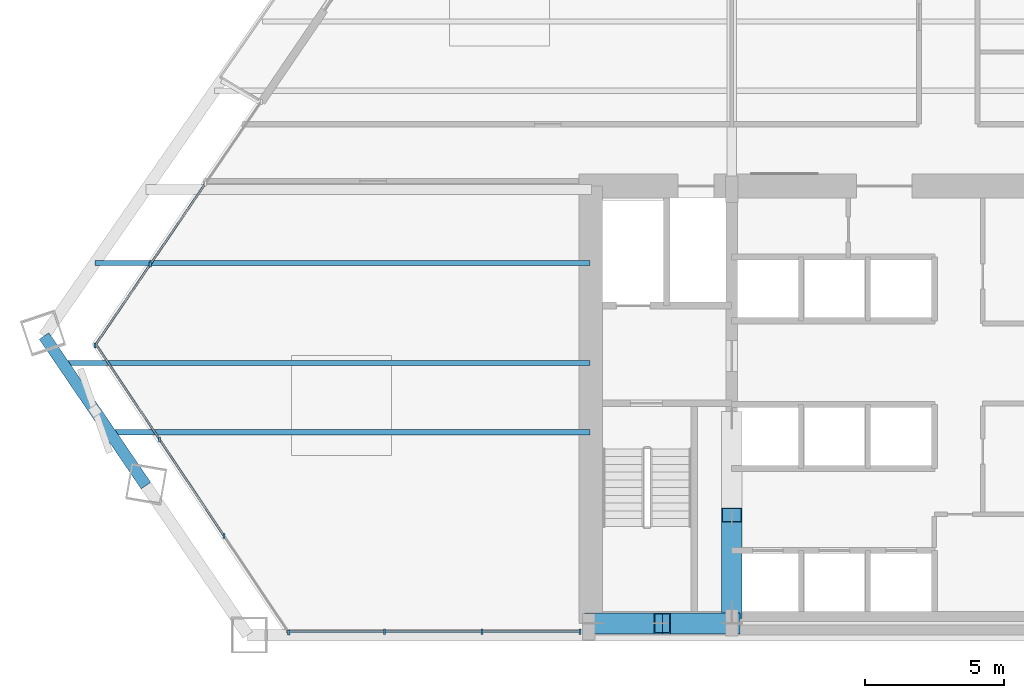
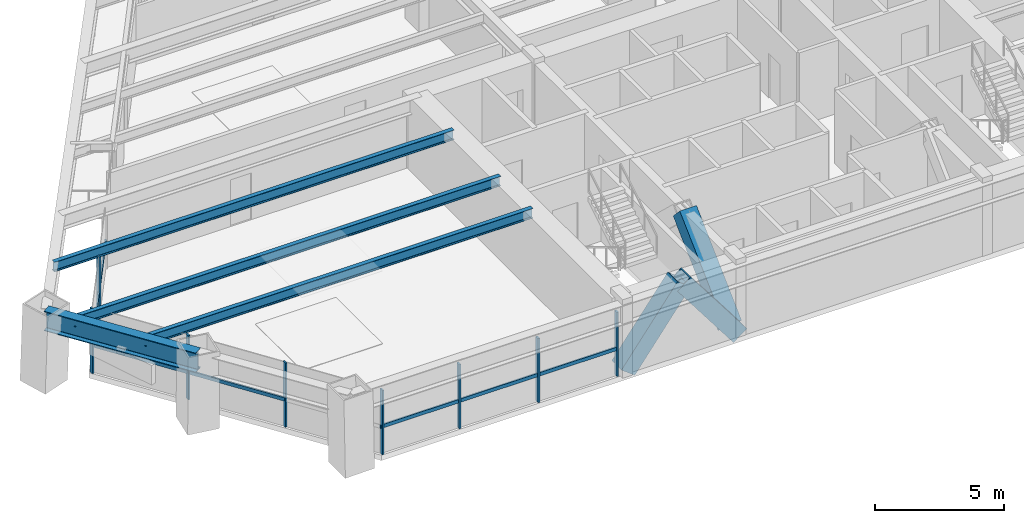
# One storey, part 2 of 14: 18 members, 4 beams, 3 elements without a shape of their own.
"""IFC4 building model written with IfcOpenShell, lengths in metres."""

from ifc_helpers import new_model, si_unit, direction, frame, origin, origin_2d, place, context, subcontext, project, spatial, rectangle, hollow_rectangle, i_section, extrude, source, transform, mapped, material, material_profile, profile_set, type_object, type_shapes, element, aggregate, save


model = new_model("IFC4")

# Units and contexts
model_context = context("Model", 3, precision=1e-05, world=origin(), true_north=direction((0.0, 1.0)))
body_context = subcontext(model_context, "Body", "Model", "MODEL_VIEW")
ifc_project = project(units=[si_unit("LENGTHUNIT", "METRE"), si_unit("AREAUNIT", "SQUARE_METRE"), si_unit("VOLUMEUNIT", "CUBIC_METRE"), si_unit("PLANEANGLEUNIT", "RADIAN"), si_unit("MASSUNIT", "GRAM", prefix="KILO")], contexts=[model_context])

# Site, building, storey
site_placement = place(None, origin())
site = spatial("IfcSite", under=ifc_project, at=site_placement, CompositionType="ELEMENT")
building_placement = place(site_placement, origin())
building = spatial("IfcBuilding", under=site, at=building_placement, Name="Varnakhor Terracotta Tower", CompositionType="ELEMENT")
storey_placement = place(building_placement, frame((0.0, 0.0, 49.699951171875)))
storey = spatial("IfcBuildingStorey", under=building, at=storey_placement, Name="L11", CompositionType="ELEMENT", Elevation=49.699951171875)

# Members
ifc_material_1 = material(Name="Steel S460", Category="steel")
ifc_material_profile_1 = material_profile(ifc_material_1, hollow_rectangle(XDim=0.75, YDim=0.75, WallThickness=0.044921875, at=origin_2d()), Name="HSS750X750X45")
ifc_profile_set_1 = profile_set([ifc_material_profile_1], Name="Steel S460")
member_type_1 = type_object("IfcMemberType", Name="MBR-MEGA-750", PredefinedType="BRACE", material=ifc_profile_set_1)
shared_shape_1 = source(origin(), body_context, "Body", "SweptSolid", [
    extrude(hollow_rectangle(XDim=0.75, YDim=0.75, WallThickness=0.044921875, at=origin_2d()), origin(), (0.0, 0.0, 1.0), 4.14013671875),
])
type_shapes(member_type_1, [shared_shape_1])
for number, where, z_axis, x_axis, name in (
    (1, (-10.5, 0.419921875, 0.0), (0.603852011179, 0.0, 0.797096448741), (0.0, 1.0, 0.0), "L11 Core Coupled Brace CSWA"),
    (2, (-5.5, 0.419921875, 0.0), (-0.603852011179, 0.0, 0.797096448741), (0.0, -1.0, 0.0), "L11 Core Coupled Brace CSWB"),
):
    element("IfcMember", number, at=place(storey_placement, frame(where, z_axis=z_axis, x_axis=x_axis)), inside=storey, type_object=member_type_1, Name=name, PredefinedType="BRACE", context=body_context, shape_type="MappedRepresentation", body=[
        mapped(shared_shape_1, transform((0.0, 0.0, 0.0), scale=1.0)),
    ])
shared_shape_2 = source(origin(), body_context, "Body", "SweptSolid", [
    extrude(hollow_rectangle(XDim=0.75, YDim=0.75, WallThickness=0.044921875, at=origin_2d()), origin(), (0.0, 0.0, 1.0), 4.792236328125),
])
member_1_placement = place(storey_placement, frame((-5.5, 0.85009765625, 0.0), z_axis=(0.0, 0.725110085518, 0.688632967466), x_axis=(-1.0, 0.0, 0.0)))
element("IfcMember", 3, at=member_1_placement, inside=storey, type_object=member_type_1, Name="L11 Core Coupled Brace CWWA", PredefinedType="BRACE", context=body_context, shape_type="MappedRepresentation", body=[
    mapped(shared_shape_2, transform((0.0, 0.0, 0.0), scale=1.0)),
])

# Beams
ifc_material_2 = material(Name="Steel S355", Category="steel")
ifc_material_profile_2 = material_profile(ifc_material_2, i_section(OverallWidth=0.41796875, OverallDepth=0.927001953125, WebThickness=0.01904296875, FlangeThickness=0.031982421875, FilletRadius=0.01806640625, at=origin_2d()), Name="W36X231")
ifc_profile_set_2 = profile_set([ifc_material_profile_2], Name="Steel S355")
beam_type_1 = type_object("IfcBeamType", Name="BM-W36X231", PredefinedType="BEAM", material=ifc_profile_set_2)
shared_shape_3 = source(origin(), body_context, "Body", "SweptSolid", [
    extrude(i_section(OverallWidth=0.41796875, OverallDepth=0.927001953125, WebThickness=0.01904296875, FlangeThickness=0.031982421875, FilletRadius=0.01806640625, at=origin_2d()), origin(), (0.0, 0.0, 1.0), 6.5146484375),
])
beam_1_placement = place(storey_placement, frame((-30.26611328125, 10.76953125, 2.986572265625), z_axis=(0.562846001094, -0.826561781752, 0.0), x_axis=(0.826561781752, 0.562846001094, 0.0)))
element("IfcBeam", 4, at=beam_1_placement, inside=storey, type_object=beam_type_1, Name="L11 Perimeter Spandrel 7", PredefinedType="BEAM", context=body_context, shape_type="MappedRepresentation", body=[
    mapped(shared_shape_3, transform((0.0, 0.0, 0.0), scale=1.0)),
])
ifc_material_profile_3 = material_profile(ifc_material_2, i_section(OverallWidth=0.19189453125, OverallDepth=0.462890625, WebThickness=0.010498046875, FlangeThickness=0.017578125, FilletRadius=0.01806640625, at=origin_2d()), Name="W18X60")
ifc_profile_set_3 = profile_set([ifc_material_profile_3], Name="Steel S355")
beam_type_2 = type_object("IfcBeamType", Name="JST-W18X60", PredefinedType="JOIST", material=ifc_profile_set_3)
shared_shape_4 = source(origin(), body_context, "Body", "SweptSolid", [
    extrude(i_section(OverallWidth=0.19189453125, OverallDepth=0.462890625, WebThickness=0.010498046875, FlangeThickness=0.017578125, FilletRadius=0.01806640625, at=origin_2d()), origin(), (0.0, 0.0, 1.0), 17.303466796875),
])
beam_2_placement = place(storey_placement, frame((-27.903564453125, 7.300048828125, 3.218505859375), z_axis=(1.0, 0.0, 0.0), x_axis=(0.0, 1.0, 0.0)))
element("IfcBeam", 5, at=beam_2_placement, inside=storey, type_object=beam_type_2, Name="L11 Floor Joist W1", PredefinedType="JOIST", context=body_context, shape_type="MappedRepresentation", body=[
    mapped(shared_shape_4, transform((0.0, 0.0, 0.0), scale=1.0)),
])
shared_shape_5 = source(origin(), body_context, "Body", "SweptSolid", [
    extrude(i_section(OverallWidth=0.19189453125, OverallDepth=0.462890625, WebThickness=0.010498046875, FlangeThickness=0.017578125, FilletRadius=0.01806640625, at=origin_2d()), origin(), (0.0, 0.0, 1.0), 19.005615234375),
])
beam_3_placement = place(storey_placement, frame((-29.605712890625, 9.800048828125, 3.218505859375), z_axis=(1.0, 0.0, 0.0), x_axis=(0.0, 1.0, 0.0)))
element("IfcBeam", 6, at=beam_3_placement, inside=storey, type_object=beam_type_2, Name="L11 Floor Joist W2", PredefinedType="JOIST", context=body_context, shape_type="MappedRepresentation", body=[
    mapped(shared_shape_5, transform((0.0, 0.0, 0.0), scale=1.0)),
])
shared_shape_6 = source(origin(), body_context, "Body", "SweptSolid", [
    extrude(i_section(OverallWidth=0.19189453125, OverallDepth=0.462890625, WebThickness=0.010498046875, FlangeThickness=0.017578125, FilletRadius=0.01806640625, at=origin_2d()), origin(), (0.0, 0.0, 1.0), 17.83984375),
])
beam_4_placement = place(storey_placement, frame((-28.43994140625, 13.39990234375, 3.218505859375), z_axis=(1.0, 0.0, 0.0), x_axis=(0.0, 1.0, 0.0)))
element("IfcBeam", 7, at=beam_4_placement, inside=storey, type_object=beam_type_2, Name="L11 Floor Joist W3", PredefinedType="JOIST", context=body_context, shape_type="MappedRepresentation", body=[
    mapped(shared_shape_6, transform((0.0, 0.0, 0.0), scale=1.0)),
])

# Curtain wall, members
ifc_material_3 = material(Name="Anodised Aluminium Curtain Wall System", Category="aluminium")
curtain_wall_type = type_object("IfcCurtainWallType", Name="CW-SYS-LOW-OFFICE", PredefinedType="NOTDEFINED", material=ifc_material_3)
curtain_wall_1_placement = place(storey_placement, origin())
curtain_wall_1 = element("IfcCurtainWall", 8, at=curtain_wall_1_placement, inside=storey, type_object=curtain_wall_type, Name="L11 W Facet Curtain Wall 1", PredefinedType="NOTDEFINED")
ifc_material_4 = material(Name="Anodised Aluminium 6063-T6", Category="aluminium")
ifc_material_profile_4 = material_profile(ifc_material_4, rectangle(XDim=0.074951171875, YDim=0.18505859375, at=origin_2d()), Name="ALU MULLION 75x185")
ifc_profile_set_4 = profile_set([ifc_material_profile_4], Name="Anodised Aluminium 6063-T6")
member_type_2 = type_object("IfcMemberType", Name="CWM-02", PredefinedType="MULLION", material=ifc_profile_set_4)
shared_shape_7 = source(origin(), body_context, "Body", "SweptSolid", [
    extrude(rectangle(XDim=0.074951171875, YDim=0.18505859375, at=origin_2d()), origin(), (0.0, 0.0, 1.0), 3.030029296875),
])
type_shapes(member_type_2, [shared_shape_7])
member_2_placement = place(storey_placement, frame((-28.4296875, 10.430419921875, 0.0), z_axis=(0.0, 0.0, 1.0), x_axis=(1.0, 0.0, 0.0)))
member_2 = element("IfcMember", 9, at=member_2_placement, type_object=member_type_2, Name="L11 W Facet Curtain Wall 1 Mullion 1", PredefinedType="MULLION", context=body_context, shape_type="MappedRepresentation", body=[
    mapped(shared_shape_7, transform((0.0, 0.0, 0.0), scale=1.0)),
])
member_3_placement = place(storey_placement, frame((-26.442626953125, 13.347900390625, 0.0), z_axis=(0.0, 0.0, 1.0), x_axis=(1.0, 0.0, 0.0)))
member_3 = element("IfcMember", 10, at=member_3_placement, type_object=member_type_2, Name="L11 W Facet Curtain Wall 1 Mullion 2", PredefinedType="MULLION", context=body_context, shape_type="MappedRepresentation", body=[
    mapped(shared_shape_7, transform((0.0, 0.0, 0.0), scale=1.0)),
])

curtain_wall_2_placement = place(storey_placement, origin())
curtain_wall_2 = element("IfcCurtainWall", 11, at=curtain_wall_2_placement, inside=storey, type_object=curtain_wall_type, Name="L11 South Wing Curtain Wall SSW", PredefinedType="NOTDEFINED")
member_4_placement = place(storey_placement, frame((-10.969970703125, 0.1201171875, 0.0), z_axis=(0.0, 0.0, 1.0), x_axis=(1.0, 0.0, 0.0)))
member_4 = element("IfcMember", 12, at=member_4_placement, type_object=member_type_2, Name="L11 South Wing Curtain Wall SSW Mullion 1", PredefinedType="MULLION", context=body_context, shape_type="MappedRepresentation", body=[
    mapped(shared_shape_7, transform((0.0, 0.0, 0.0), scale=1.0)),
])
member_5_placement = place(storey_placement, frame((-14.489501953125, 0.1201171875, 0.0), z_axis=(0.0, 0.0, 1.0), x_axis=(1.0, 0.0, 0.0)))
member_5 = element("IfcMember", 13, at=member_5_placement, type_object=member_type_2, Name="L11 South Wing Curtain Wall SSW Mullion 2", PredefinedType="MULLION", context=body_context, shape_type="MappedRepresentation", body=[
    mapped(shared_shape_7, transform((0.0, 0.0, 0.0), scale=1.0)),
])
member_6_placement = place(storey_placement, frame((-18.009033203125, 0.1201171875, 0.0), z_axis=(0.0, 0.0, 1.0), x_axis=(1.0, 0.0, 0.0)))
member_6 = element("IfcMember", 14, at=member_6_placement, type_object=member_type_2, Name="L11 South Wing Curtain Wall SSW Mullion 3", PredefinedType="MULLION", context=body_context, shape_type="MappedRepresentation", body=[
    mapped(shared_shape_7, transform((0.0, 0.0, 0.0), scale=1.0)),
])

curtain_wall_3_placement = place(storey_placement, origin())
curtain_wall_3 = element("IfcCurtainWall", 15, at=curtain_wall_3_placement, inside=storey, type_object=curtain_wall_type, Name="L11 Facet Curtain Wall 6", PredefinedType="NOTDEFINED")
member_7_placement = place(storey_placement, frame((-21.455322265625, 0.091796875, 0.0), z_axis=(0.0, 0.0, 1.0), x_axis=(1.0, 0.0, 0.0)))
member_7 = element("IfcMember", 16, at=member_7_placement, type_object=member_type_2, Name="L11 Facet Curtain Wall 6 Mullion 1", PredefinedType="MULLION", context=body_context, shape_type="MappedRepresentation", body=[
    mapped(shared_shape_7, transform((0.0, 0.0, 0.0), scale=1.0)),
])
member_8_placement = place(storey_placement, frame((-23.780029296875, 3.566162109375, 0.0), z_axis=(0.0, 0.0, 1.0), x_axis=(1.0, 0.0, 0.0)))
member_8 = element("IfcMember", 17, at=member_8_placement, type_object=member_type_2, Name="L11 Facet Curtain Wall 6 Mullion 2", PredefinedType="MULLION", context=body_context, shape_type="MappedRepresentation", body=[
    mapped(shared_shape_7, transform((0.0, 0.0, 0.0), scale=1.0)),
])
member_9_placement = place(storey_placement, frame((-26.104736328125, 7.04052734375, 0.0), z_axis=(0.0, 0.0, 1.0), x_axis=(1.0, 0.0, 0.0)))
member_9 = element("IfcMember", 18, at=member_9_placement, type_object=member_type_2, Name="L11 Facet Curtain Wall 6 Mullion 3", PredefinedType="MULLION", context=body_context, shape_type="MappedRepresentation", body=[
    mapped(shared_shape_7, transform((0.0, 0.0, 0.0), scale=1.0)),
])

# Member
ifc_material_profile_5 = material_profile(ifc_material_4, rectangle(XDim=0.074951171875, YDim=0.1650390625, at=origin_2d()), Name="ALU TRANSOM 75x165")
ifc_profile_set_5 = profile_set([ifc_material_profile_5], Name="Anodised Aluminium 6063-T6")
member_type_3 = type_object("IfcMemberType", Name="CWT-02", PredefinedType="USERDEFINED", material=ifc_profile_set_5)
shared_shape_8 = source(origin(), body_context, "Body", "SweptSolid", [
    extrude(rectangle(XDim=0.074951171875, YDim=0.1650390625, at=origin_2d()), origin(), (0.0, 0.0, 1.0), 3.52978515625),
])
member_10_placement = place(storey_placement, frame((-28.4296875, 10.430419921875, 1.272705078125), z_axis=(0.562924697932, 0.826508187774, 0.0), x_axis=(-0.826508187774, 0.562924697932, 0.0)))
member_10 = element("IfcMember", 19, at=member_10_placement, type_object=member_type_3, Name="L11 W Facet Curtain Wall 1 Transom 1", ObjectType="TRANSOM", PredefinedType="USERDEFINED", context=body_context, shape_type="MappedRepresentation", body=[
    mapped(shared_shape_8, transform((0.0, 0.0, 0.0), scale=1.0)),
])

shared_shape_9 = source(origin(), body_context, "Body", "SweptSolid", [
    extrude(rectangle(XDim=0.074951171875, YDim=0.1650390625, at=origin_2d()), origin(), (0.0, 0.0, 1.0), 3.530029296875),
])
member_11_placement = place(storey_placement, frame((-26.442626953125, 13.347900390625, 1.272705078125), z_axis=(0.562971942101, 0.826476008367, 0.0), x_axis=(-0.826476008367, 0.562971942101, 0.0)))
member_11 = element("IfcMember", 20, at=member_11_placement, type_object=member_type_3, Name="L11 W Facet Curtain Wall 1 Transom 2", ObjectType="TRANSOM", PredefinedType="USERDEFINED", context=body_context, shape_type="MappedRepresentation", body=[
    mapped(shared_shape_9, transform((0.0, 0.0, 0.0), scale=1.0)),
])

aggregate(curtain_wall_1, [member_2, member_10, member_3, member_11])

shared_shape_10 = source(origin(), body_context, "Body", "SweptSolid", [
    extrude(rectangle(XDim=0.074951171875, YDim=0.1650390625, at=origin_2d()), origin(), (0.0, 0.0, 1.0), 3.51953125),
])
member_12_placement = place(storey_placement, frame((-10.969970703125, 0.1201171875, 1.272705078125), z_axis=(-1.0, 0.0, 0.0), x_axis=(0.0, -1.0, 0.0)))
member_12 = element("IfcMember", 21, at=member_12_placement, type_object=member_type_3, Name="L11 South Wing Curtain Wall SSW Transom 1", ObjectType="TRANSOM", PredefinedType="USERDEFINED", context=body_context, shape_type="MappedRepresentation", body=[
    mapped(shared_shape_10, transform((0.0, 0.0, 0.0), scale=1.0)),
])

member_13_placement = place(storey_placement, frame((-14.489501953125, 0.1201171875, 1.272705078125), z_axis=(-1.0, 0.0, 0.0), x_axis=(0.0, -1.0, 0.0)))
member_13 = element("IfcMember", 22, at=member_13_placement, type_object=member_type_3, Name="L11 South Wing Curtain Wall SSW Transom 2", ObjectType="TRANSOM", PredefinedType="USERDEFINED", context=body_context, shape_type="MappedRepresentation", body=[
    mapped(shared_shape_10, transform((0.0, 0.0, 0.0), scale=1.0)),
])

member_14_placement = place(storey_placement, frame((-18.009033203125, 0.1201171875, 1.272705078125), z_axis=(-1.0, 0.0, 0.0), x_axis=(0.0, -1.0, 0.0)))
member_14 = element("IfcMember", 23, at=member_14_placement, type_object=member_type_3, Name="L11 South Wing Curtain Wall SSW Transom 3", ObjectType="TRANSOM", PredefinedType="USERDEFINED", context=body_context, shape_type="MappedRepresentation", body=[
    mapped(shared_shape_10, transform((0.0, 0.0, 0.0), scale=1.0)),
])

aggregate(curtain_wall_2, [member_4, member_12, member_5, member_13, member_6, member_14])

shared_shape_11 = source(origin(), body_context, "Body", "SweptSolid", [
    extrude(rectangle(XDim=0.074951171875, YDim=0.1650390625, at=origin_2d()), origin(), (0.0, 0.0, 1.0), 4.180419921875),
])
member_15_placement = place(storey_placement, frame((-23.780029296875, 3.566162109375, 1.272705078125), z_axis=(-0.556101050132, 0.831114686456, 0.0), x_axis=(-0.831114686456, -0.556101050132, 0.0)))
member_15 = element("IfcMember", 24, at=member_15_placement, type_object=member_type_3, Name="L11 Facet Curtain Wall 6 Transom 2", ObjectType="TRANSOM", PredefinedType="USERDEFINED", context=body_context, shape_type="MappedRepresentation", body=[
    mapped(shared_shape_11, transform((0.0, 0.0, 0.0), scale=1.0)),
])

member_16_placement = place(storey_placement, frame((-26.104736328125, 7.04052734375, 1.272705078125), z_axis=(-0.556101050132, 0.831114686456, 0.0), x_axis=(-0.831114686456, -0.556101050132, 0.0)))
member_16 = element("IfcMember", 25, at=member_16_placement, type_object=member_type_3, Name="L11 Facet Curtain Wall 6 Transom 3", ObjectType="TRANSOM", PredefinedType="USERDEFINED", context=body_context, shape_type="MappedRepresentation", body=[
    mapped(shared_shape_11, transform((0.0, 0.0, 0.0), scale=1.0)),
])

aggregate(curtain_wall_3, [member_7, member_8, member_15, member_9, member_16])

save(model, "model.ifc")
